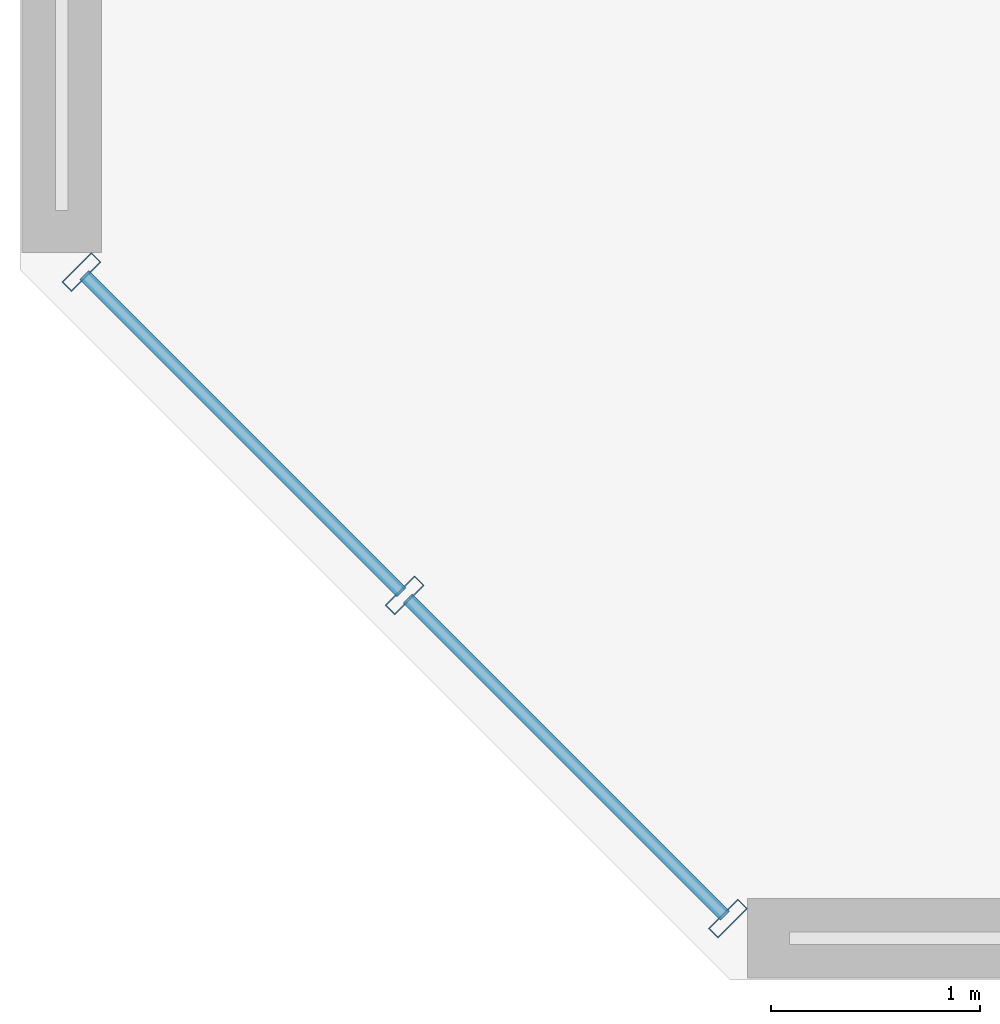
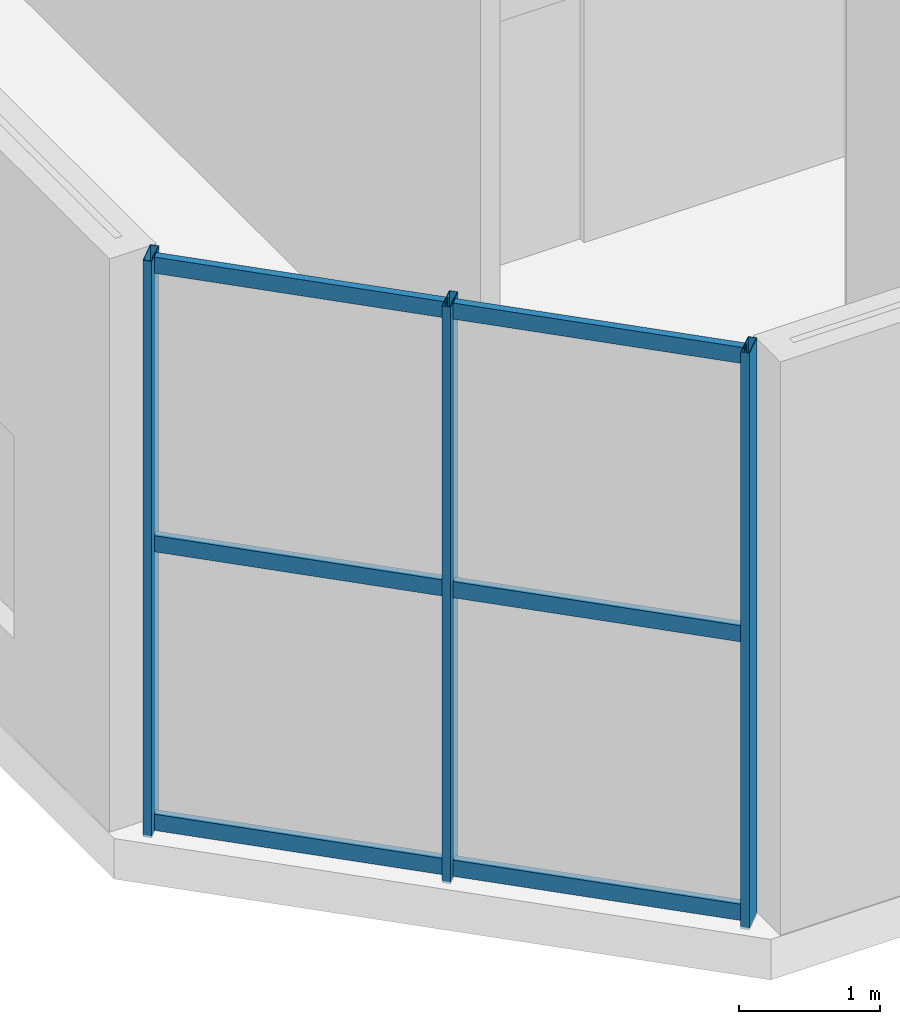
# One storey, part 2 of 23: 9 members, 1 element without a shape of its own.
"""IFC4 building model written with IfcOpenShell, lengths in metres."""

import ifcopenshell
import ifcopenshell.guid

model = None  # the IFC model being written
_history = None  # IfcOwnerHistory: only IFC2X3 demands one
_inside = {}  # id of a spatial element -> (the spatial element, [elements in it])
_under = {}  # id of a project, library or spatial element -> (it, [spatial elements below it])
_declared = {}  # id of a project -> (the project, [libraries it declares])
_typed = {}  # id of a type object -> (the type object, [elements of that type])
_made_of = {}  # id of a material, layer set ... -> (it, [elements and type objects made of it])


def new_model(schema):
    """Start an empty IFC model of exactly this schema.

    Asked for "IFC4X3", IfcOpenShell would pick the latest addendum, in which some entities
    have other attributes; the version numbers below select the first issue.
    IFC2X3 requires an IfcOwnerHistory on every rooted entity: one is made here for all.
    """
    global model, _history
    if schema == "IFC4X3":
        model = ifcopenshell.file(schema_version=(4, 3, 0, 0))
    else:
        model = ifcopenshell.file(schema=schema)
    _inside.clear()
    _under.clear()
    _declared.clear()
    _typed.clear()
    _made_of.clear()
    _history = None
    if model.schema == "IFC2X3":
        org = make("IfcOrganization", Name="unknown")
        user = make(
            "IfcPersonAndOrganization",
            ThePerson=make("IfcPerson", FamilyName="unknown"),
            TheOrganization=org,
        )
        app = make(
            "IfcApplication",
            ApplicationDeveloper=org,
            Version="unknown",
            ApplicationFullName="unknown",
            ApplicationIdentifier="unknown",
        )
        _history = make(
            "IfcOwnerHistory",
            OwningUser=user,
            OwningApplication=app,
            ChangeAction="ADDED",
            CreationDate=0,
        )
    return model


def make(cls, **values):
    """One entity of the class cls with the attributes given. An attribute that is None is left unset."""
    return model.create_entity(
        cls, **{name: value for name, value in values.items() if value is not None}
    )


def rooted(cls, **values):
    """An entity with a GlobalId (a new one), such as an element, a storey or a relation."""
    return make(cls, GlobalId=ifcopenshell.guid.new(), OwnerHistory=_history, **values)


def si_unit(unit_type, name, prefix=None):
    """IfcSIUnit, for example si_unit("LENGTHUNIT", "METRE", prefix="MILLI")."""
    return make("IfcSIUnit", UnitType=unit_type, Prefix=prefix, Name=name)


def assignment(units):
    """IfcUnitAssignment: the units of a project."""
    return None if units is None else make("IfcUnitAssignment", Units=units)


def point(xyz):
    """IfcCartesianPoint."""
    return None if xyz is None else make("IfcCartesianPoint", Coordinates=xyz)


def direction(xyz):
    """IfcDirection."""
    return None if xyz is None else make("IfcDirection", DirectionRatios=xyz)


def frame(location, z_axis=None, x_axis=None):
    """IfcAxis2Placement3D, a coordinate frame: its origin and axes. An axis left out is left unset."""
    return make(
        "IfcAxis2Placement3D",
        Location=point(location),
        Axis=direction(z_axis),
        RefDirection=direction(x_axis),
    )


def frame_2d(location, x_axis=None):
    """IfcAxis2Placement2D, a coordinate frame in the plane: its origin and x axis."""
    return make(
        "IfcAxis2Placement2D", Location=point(location), RefDirection=direction(x_axis)
    )


def origin():
    """The frame at (0, 0, 0) with its axes left unset."""
    return frame((0.0, 0.0, 0.0))


def origin_2d():
    """The frame at (0, 0) in the plane with its x axis left unset."""
    return frame_2d((0.0, 0.0))


def place(relative_to, where):
    """IfcLocalPlacement: puts the frame where relative to a parent placement (None: the world)."""
    return make(
        "IfcLocalPlacement", PlacementRelTo=relative_to, RelativePlacement=where
    )


def context(
    kind, dimensions, precision=None, world=None, true_north=None, identifier=None
):
    """IfcGeometricRepresentationContext, for example the 3D "Model" context."""
    return make(
        "IfcGeometricRepresentationContext",
        ContextIdentifier=identifier,
        ContextType=kind,
        CoordinateSpaceDimension=dimensions,
        Precision=precision,
        WorldCoordinateSystem=world,
        TrueNorth=true_north,
    )


def subcontext(parent, identifier, kind, view, scale=None):
    """IfcGeometricRepresentationSubContext, for example "Body" below "Model"."""
    return make(
        "IfcGeometricRepresentationSubContext",
        ContextIdentifier=identifier,
        ContextType=kind,
        ParentContext=parent,
        TargetScale=scale,
        TargetView=view,
    )


def project(units=None, contexts=None):
    """IfcProject with its units and contexts."""
    return rooted(
        "IfcProject",
        Name="project",
        RepresentationContexts=contexts,
        UnitsInContext=assignment(units),
    )


def spatial(cls, under=None, at=None, **own):
    """A site, building, storey or space (cls), placed at a placement, below another one or the project."""
    s = rooted(cls, ObjectPlacement=at, **own)
    if under is not None:
        _under.setdefault(under.id(), (under, []))[1].append(s)
    return s


def profile(cls, at=None, kind="AREA", **sizes):
    """A parametric profile (cls). Its sizes go by their IFC names, for example OverallWidth=200.0."""
    return make(cls, ProfileType=kind, Position=at, **sizes)


def hollow_rectangle(**sizes):
    """IfcRectangleHollowProfileDef."""
    return profile("IfcRectangleHollowProfileDef", **sizes)


def extrude(swept, where, along, depth):
    """IfcExtrudedAreaSolid: the profile swept, set in the frame where, extruded along a direction by depth."""
    return make(
        "IfcExtrudedAreaSolid",
        SweptArea=swept,
        Position=where,
        ExtrudedDirection=direction(along),
        Depth=depth,
    )


def shape(context_of_items, identifier, shape_type, items):
    """IfcShapeRepresentation: the items that make up one representation, for example the "Body"."""
    return make(
        "IfcShapeRepresentation",
        ContextOfItems=context_of_items,
        RepresentationIdentifier=identifier,
        RepresentationType=shape_type,
        Items=items,
    )


def source(mapping_origin, context_of_items, identifier, shape_type, items):
    """IfcRepresentationMap: a shape defined once, which mapped items show again and again."""
    return make(
        "IfcRepresentationMap",
        MappingOrigin=mapping_origin,
        MappedRepresentation=shape(context_of_items, identifier, shape_type, items),
    )


def transform(
    local_origin,
    x_axis=None,
    y_axis=None,
    z_axis=None,
    scale=None,
    scale2=None,
    scale3=None,
    uniform=True,
):
    """IfcCartesianTransformationOperator3D, or its non-uniform kind. x_axis, y_axis, z_axis: its Axis1, 2, 3."""
    if uniform:
        return make(
            "IfcCartesianTransformationOperator3D",
            Axis1=direction(x_axis),
            Axis2=direction(y_axis),
            LocalOrigin=point(local_origin),
            Scale=scale,
            Axis3=direction(z_axis),
        )
    return make(
        "IfcCartesianTransformationOperator3DnonUniform",
        Axis1=direction(x_axis),
        Axis2=direction(y_axis),
        LocalOrigin=point(local_origin),
        Scale=scale,
        Axis3=direction(z_axis),
        Scale2=scale2,
        Scale3=scale3,
    )


def mapped(mapping_source, mapping_target):
    """IfcMappedItem: shows the shape of a source again, moved by a transform."""
    return make(
        "IfcMappedItem", MappingSource=mapping_source, MappingTarget=mapping_target
    )


def material(Name=None, Category=None):
    """IfcMaterial."""
    return make("IfcMaterial", Name=Name, Category=Category)


def material_profile(
    of_material, cross_section, Name=None, Category=None, Priority=None
):
    """IfcMaterialProfile: a cross section and its material."""
    return make(
        "IfcMaterialProfile",
        Name=Name,
        Material=of_material,
        Profile=cross_section,
        Priority=Priority,
        Category=Category,
    )


def profile_set(profiles, Name=None, composite=None):
    """IfcMaterialProfileSet."""
    return make(
        "IfcMaterialProfileSet",
        Name=Name,
        MaterialProfiles=profiles,
        CompositeProfile=composite,
    )


def made_of(thing, what):
    """Note that an element or type object is made of a material, layer set ...; save() writes the relation."""
    if what is not None:
        _made_of.setdefault(what.id(), (what, []))[1].append(thing)
    return thing


def type_object(cls, material=None, **own):
    """A type object (cls), such as IfcWallType, which elements share."""
    return made_of(rooted(cls, **own), material)


def element(
    cls,
    number,
    at=None,
    inside=None,
    cuts=None,
    type_object=None,
    material=None,
    context=None,
    identifier="Body",
    shape_type=None,
    held_by="IfcProductDefinitionShape",
    body=None,
    shapes=None,
    **own,
):
    """One element of the class cls, such as IfcWall. Its Tag is "e" and its number.

    at: its placement. inside: the storey or other place that contains it. cuts: it is an
    opening in that element (IfcRelVoidsElement). A single representation is given by context,
    identifier, shape_type and body (its items); several are given by shapes. held_by: the class
    of the entity that holds the representations. save() writes the other relations.
    """
    e = rooted(cls, Tag="e%d" % number, ObjectPlacement=at, **own)
    if body is not None:
        shapes = [shape(context, identifier, shape_type, body)]
    if shapes is not None:
        e.Representation = make(held_by, Representations=shapes)
    if inside is not None:
        _inside.setdefault(inside.id(), (inside, []))[1].append(e)
    if cuts is not None:
        rooted(
            "IfcRelVoidsElement", RelatingBuildingElement=cuts, RelatedOpeningElement=e
        )
    if type_object is not None:
        _typed.setdefault(type_object.id(), (type_object, []))[1].append(e)
    return made_of(e, material)


def aggregate(whole, parts):
    """IfcRelAggregates: a whole, such as a stair, and the parts it consists of."""
    return rooted("IfcRelAggregates", RelatingObject=whole, RelatedObjects=parts)


def save(model, path):
    """Write the relations noted so far, then the file.

    IfcRelAggregates (storeys below a building ...), IfcRelContainedInSpatialStructure (elements
    in a storey), IfcRelDefinesByType, IfcRelAssociatesMaterial and IfcRelDeclares: one each for
    every whole, place, type object, material and project.
    """
    for whole, parts in _under.values():
        aggregate(whole, parts)
    for where, things in _inside.values():
        rooted(
            "IfcRelContainedInSpatialStructure",
            RelatedElements=things,
            RelatingStructure=where,
        )
    for kind, things in _typed.values():
        rooted("IfcRelDefinesByType", RelatedObjects=things, RelatingType=kind)
    for what, things in _made_of.values():
        rooted("IfcRelAssociatesMaterial", RelatedObjects=things, RelatingMaterial=what)
    for by, libraries in _declared.values():
        rooted("IfcRelDeclares", RelatingContext=by, RelatedDefinitions=libraries)
    model.write(path)


model = new_model("IFC4")

# Units and contexts
model_context = context("Model", 3, precision=1e-05, world=origin(), true_north=direction((0.0, 1.0)))
body_context = subcontext(model_context, "Body", "Model", "MODEL_VIEW")
ifc_project = project(units=[si_unit("LENGTHUNIT", "METRE"), si_unit("AREAUNIT", "SQUARE_METRE"), si_unit("VOLUMEUNIT", "CUBIC_METRE"), si_unit("PLANEANGLEUNIT", "RADIAN"), si_unit("MASSUNIT", "GRAM", prefix="KILO")], contexts=[model_context])

# Site, building, storey
site_placement = place(None, origin())
site = spatial("IfcSite", under=ifc_project, at=site_placement, CompositionType="ELEMENT")
building_placement = place(site_placement, origin())
building = spatial("IfcBuilding", under=site, at=building_placement, Name="Tlacorven Tower", CompositionType="ELEMENT")
storey_placement = place(building_placement, frame((0.0, 0.0, 18.60009765625)))
storey = spatial("IfcBuildingStorey", under=building, at=storey_placement, Name="L04", CompositionType="ELEMENT", Elevation=18.60009765625)

# Curtain wall, members
ifc_material_1 = material(Name="Dark solar low-E double glazing in aluminium frame", Category="aluminium")
curtain_wall_type = type_object("IfcCurtainWallType", Name="CW-POD-CLINIC", PredefinedType="USERDEFINED", material=ifc_material_1)
curtain_wall_placement = place(storey_placement, origin())
curtain_wall = element("IfcCurtainWall", 1, at=curtain_wall_placement, inside=storey, type_object=curtain_wall_type, Name="L04 Podium Chamfer Curtain Wall 1", ObjectType="UNITISED CURTAIN WALL", PredefinedType="USERDEFINED")
ifc_material_2 = material(Name="Aluminium 6063-T6 anodised", Category="aluminium")
ifc_material_profile_1 = material_profile(ifc_material_2, hollow_rectangle(XDim=0.06005859375, YDim=0.139892578125, WallThickness=0.00390625, at=origin_2d()), Name="ALU TRANSOM 60X140")
ifc_profile_set_1 = profile_set([ifc_material_profile_1], Name="Aluminium 6063-T6 anodised")
member_type_1 = type_object("IfcMemberType", Name="CWT-02", PredefinedType="USERDEFINED", material=ifc_profile_set_1)
shared_shape_1 = source(origin(), body_context, "Body", "SweptSolid", [
    extrude(hollow_rectangle(XDim=0.06005859375, YDim=0.139892578125, WallThickness=0.00390625, at=origin_2d()), origin(), (0.0, 0.0, 1.0), 2.14794921875),
])
member_1_placement = place(storey_placement, frame((4.774658203125, 1.708251953125, 0.06982421875), z_axis=(-0.707106781187, 0.707106781187, 0.0), x_axis=(-0.707106781187, -0.707106781187, 0.0)))
member_1 = element("IfcMember", 2, at=member_1_placement, type_object=member_type_1, Name="CW-L04-017 Transom 1", ObjectType="TRANSOM", PredefinedType="USERDEFINED", context=body_context, shape_type="MappedRepresentation", body=[
    mapped(shared_shape_1, transform((0.0, 0.0, 0.0), scale=1.0)),
])
member_2_placement = place(storey_placement, frame((4.774658203125, 1.708251953125, 2.474853515625), z_axis=(-0.707106781187, 0.707106781187, 0.0), x_axis=(-0.707106781187, -0.707106781187, 0.0)))
member_2 = element("IfcMember", 3, at=member_2_placement, type_object=member_type_1, Name="CW-L04-017 Transom 2", ObjectType="TRANSOM", PredefinedType="USERDEFINED", context=body_context, shape_type="MappedRepresentation", body=[
    mapped(shared_shape_1, transform((0.0, 0.0, 0.0), scale=1.0)),
])
member_3_placement = place(storey_placement, frame((4.774658203125, 1.708251953125, 4.8798828125), z_axis=(-0.707106781187, 0.707106781187, 0.0), x_axis=(-0.707106781187, -0.707106781187, 0.0)))
member_3 = element("IfcMember", 4, at=member_3_placement, type_object=member_type_1, Name="CW-L04-017 Transom 3", ObjectType="TRANSOM", PredefinedType="USERDEFINED", context=body_context, shape_type="MappedRepresentation", body=[
    mapped(shared_shape_1, transform((0.0, 0.0, 0.0), scale=1.0)),
])
member_4_placement = place(storey_placement, frame((3.22705078125, 3.255859375, 0.06982421875), z_axis=(-0.707106781187, 0.707106781187, 0.0), x_axis=(-0.707106781187, -0.707106781187, 0.0)))
member_4 = element("IfcMember", 5, at=member_4_placement, type_object=member_type_1, Name="CW-L04-017 Transom 4", ObjectType="TRANSOM", PredefinedType="USERDEFINED", context=body_context, shape_type="MappedRepresentation", body=[
    mapped(shared_shape_1, transform((0.0, 0.0, 0.0), scale=1.0)),
])
member_5_placement = place(storey_placement, frame((3.22705078125, 3.255859375, 2.474853515625), z_axis=(-0.707106781187, 0.707106781187, 0.0), x_axis=(-0.707106781187, -0.707106781187, 0.0)))
member_5 = element("IfcMember", 6, at=member_5_placement, type_object=member_type_1, Name="CW-L04-017 Transom 5", ObjectType="TRANSOM", PredefinedType="USERDEFINED", context=body_context, shape_type="MappedRepresentation", body=[
    mapped(shared_shape_1, transform((0.0, 0.0, 0.0), scale=1.0)),
])
member_6_placement = place(storey_placement, frame((3.22705078125, 3.255859375, 4.8798828125), z_axis=(-0.707106781187, 0.707106781187, 0.0), x_axis=(-0.707106781187, -0.707106781187, 0.0)))
member_6 = element("IfcMember", 7, at=member_6_placement, type_object=member_type_1, Name="CW-L04-017 Transom 6", ObjectType="TRANSOM", PredefinedType="USERDEFINED", context=body_context, shape_type="MappedRepresentation", body=[
    mapped(shared_shape_1, transform((0.0, 0.0, 0.0), scale=1.0)),
])
ifc_material_profile_2 = material_profile(ifc_material_2, hollow_rectangle(XDim=0.06494140625, YDim=0.199951171875, WallThickness=0.00439453125, at=origin_2d()), Name="ALU MULLION 65X200")
ifc_profile_set_2 = profile_set([ifc_material_profile_2], Name="Aluminium 6063-T6 anodised")
member_type_2 = type_object("IfcMemberType", Name="CWM-02", PredefinedType="MULLION", material=ifc_profile_set_2)
shared_shape_2 = source(origin(), body_context, "Body", "SweptSolid", [
    extrude(hollow_rectangle(XDim=0.06494140625, YDim=0.199951171875, WallThickness=0.00439453125, at=origin_2d()), origin(), (0.0, 0.0, 1.0), 4.97998046875),
])
member_7_placement = place(storey_placement, frame((4.7890625, 1.693603515625, -0.02001953125), z_axis=(0.0, 0.0, 1.0), x_axis=(-0.707106781187, 0.707106781187, 0.0)))
member_7 = element("IfcMember", 8, at=member_7_placement, type_object=member_type_2, Name="CW-L04-017 Mullion 1", PredefinedType="MULLION", context=body_context, shape_type="MappedRepresentation", body=[
    mapped(shared_shape_2, transform((0.0, 0.0, 0.0), scale=1.0)),
])
member_8_placement = place(storey_placement, frame((3.241455078125, 3.241455078125, -0.02001953125), z_axis=(0.0, 0.0, 1.0), x_axis=(-0.707106781187, 0.707106781187, 0.0)))
member_8 = element("IfcMember", 9, at=member_8_placement, type_object=member_type_2, Name="CW-L04-017 Mullion 2", PredefinedType="MULLION", context=body_context, shape_type="MappedRepresentation", body=[
    mapped(shared_shape_2, transform((0.0, 0.0, 0.0), scale=1.0)),
])
member_9_placement = place(storey_placement, frame((1.693603515625, 4.7890625, -0.02001953125), z_axis=(0.0, 0.0, 1.0), x_axis=(-0.707106781187, 0.707106781187, 0.0)))
member_9 = element("IfcMember", 10, at=member_9_placement, type_object=member_type_2, Name="CW-L04-017 Mullion 3", PredefinedType="MULLION", context=body_context, shape_type="MappedRepresentation", body=[
    mapped(shared_shape_2, transform((0.0, 0.0, 0.0), scale=1.0)),
])
aggregate(curtain_wall, [member_7, member_8, member_9, member_1, member_2, member_3, member_4, member_5, member_6])

save(model, "model.ifc")
